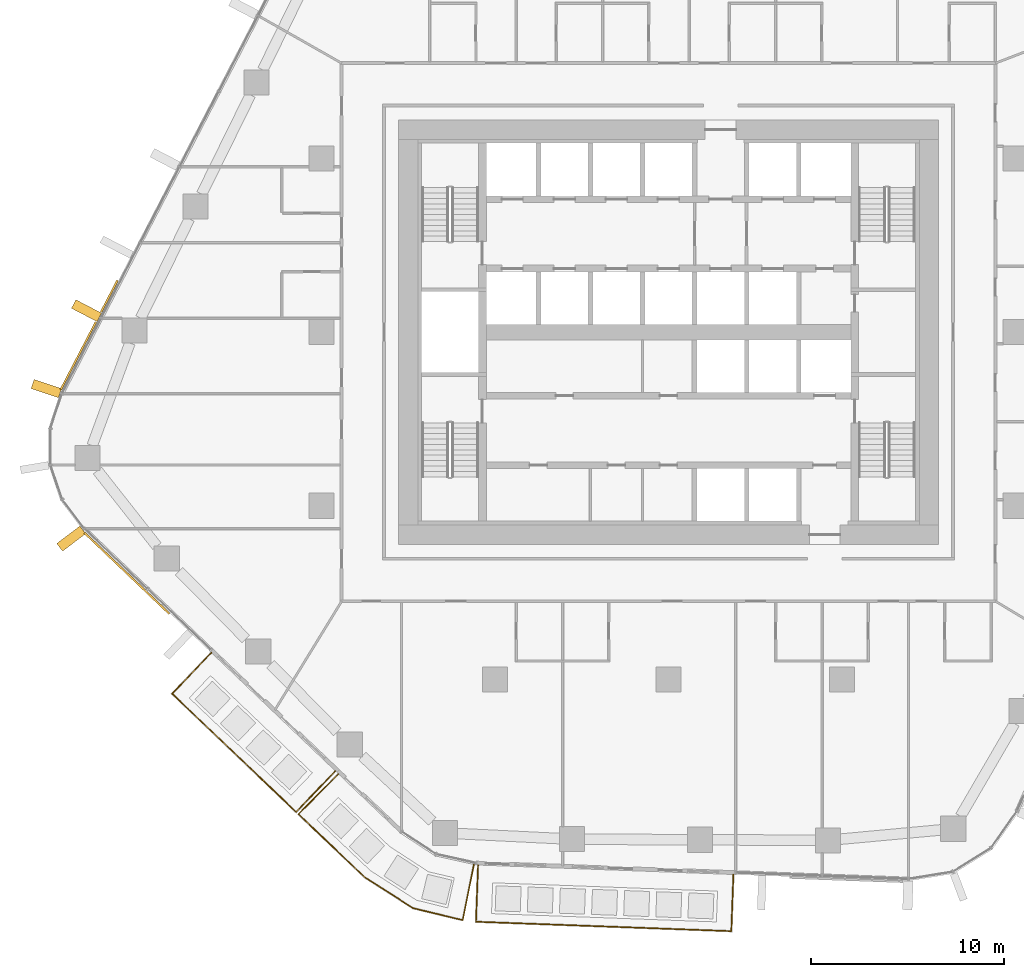
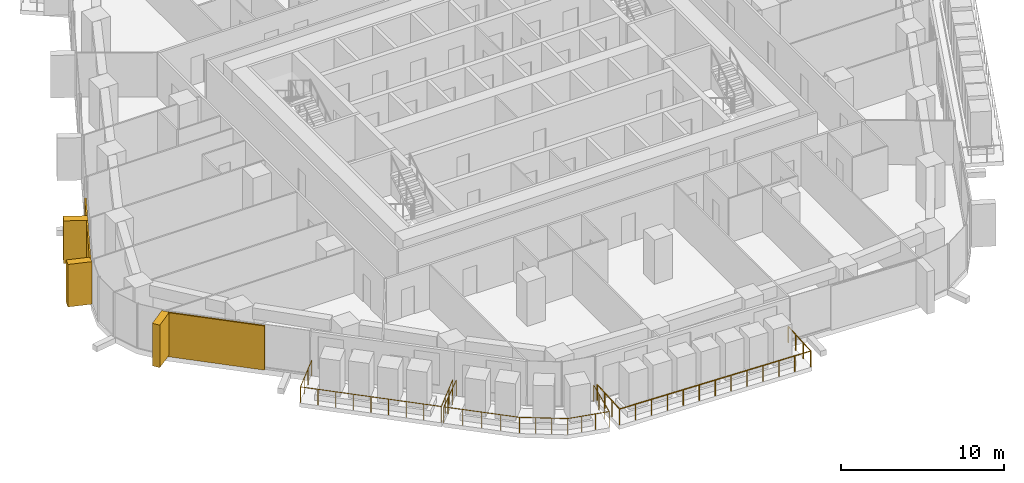
# One storey, part 19 of 24: 6 coverings, 3 railings, 3 elements without a shape of their own.
"""IFC4 building model written with IfcOpenShell, lengths in metres."""

from ifc_helpers import new_model, si_unit, direction, frame, origin, origin_2d, place, context, subcontext, project, spatial, rectangle, circle, extrude, material, layer, layer_set, material_profile, profile_set, type_object, element, aggregate, save


model = new_model("IFC4")

# Units and contexts
model_context = context("Model", 3, precision=1e-05, world=origin(), true_north=direction((0.0, 1.0)))
body_context = subcontext(model_context, "Body", "Model", "MODEL_VIEW")
ifc_project = project(units=[si_unit("LENGTHUNIT", "METRE"), si_unit("AREAUNIT", "SQUARE_METRE"), si_unit("VOLUMEUNIT", "CUBIC_METRE"), si_unit("PLANEANGLEUNIT", "RADIAN"), si_unit("MASSUNIT", "GRAM", prefix="KILO")], contexts=[model_context])

# Site, building, storey
site_placement = place(None, origin())
site = spatial("IfcSite", under=ifc_project, at=site_placement, CompositionType="ELEMENT")
building_placement = place(site_placement, origin())
building = spatial("IfcBuilding", under=site, at=building_placement, Name="Dongbaek Canopy Tower", CompositionType="ELEMENT")
storey_placement = place(building_placement, frame((0.0, 0.0, 110.0)))
storey = spatial("IfcBuildingStorey", under=building, at=storey_placement, Name="L23", CompositionType="ELEMENT", Elevation=110.0)

# Railings
ifc_material_1 = material(Name="Stainless steel", Category="steel")
railing_type = type_object("IfcRailingType", Name="Balcony balustrade 1200", PredefinedType="BALUSTRADE", material=ifc_material_1)
railing_1_placement = place(storey_placement, frame((-23.70751953125, -16.618896484375, 0.0)))
element("IfcRailing", 1, at=railing_1_placement, inside=storey, type_object=railing_type, Name="Balcony guard L23 3", PredefinedType="BALUSTRADE", context=body_context, shape_type="SweptSolid", body=[
    extrude(circle(Radius=0.02392578125, at=origin_2d()), frame((0.0, 0.0, 1.17578125), z_axis=(-0.690473771685, -0.723357429363, 0.0), x_axis=(0.723357429363, -0.690473771685, 0.0)), (0.0, 0.0, 1.0), 2.93994140625),
    extrude(circle(Radius=0.02392578125, at=origin_2d()), frame((-2.030029296875, -2.126708984375, 1.17578125), z_axis=(0.723350552631, -0.690480975848, 0.0), x_axis=(0.690480975848, 0.723350552631, 0.0)), (0.0, 0.0, 1.0), 8.88330078125),
    extrude(circle(Radius=0.02392578125, at=origin_2d()), frame((4.395751953125, -8.260498046875, 1.17578125), z_axis=(0.690473771685, 0.723357429363, 0.0), x_axis=(-0.723357429363, 0.690473771685, 0.0)), (0.0, 0.0, 1.0), 2.93994140625),
    extrude(circle(Radius=0.02099609375, at=origin_2d()), origin(), (0.0, 0.0, 1.0), 1.15185546875),
    extrude(circle(Radius=0.02099609375, at=origin_2d()), frame((-0.6767578125, -0.708984375, 0.0)), (0.0, 0.0, 1.0), 1.15185546875),
    extrude(circle(Radius=0.02099609375, at=origin_2d()), frame((-1.353271484375, -1.417724609375, 0.0)), (0.0, 0.0, 1.0), 1.15185546875),
    extrude(circle(Radius=0.02099609375, at=origin_2d()), frame((-2.030029296875, -2.126708984375, 0.0)), (0.0, 0.0, 1.0), 1.15185546875),
    extrude(circle(Radius=0.02099609375, at=origin_2d()), frame((-1.226806640625, -2.8935546875, 0.0)), (0.0, 0.0, 1.0), 1.15185546875),
    extrude(circle(Radius=0.02099609375, at=origin_2d()), frame((-0.423583984375, -3.66015625, 0.0)), (0.0, 0.0, 1.0), 1.15185546875),
    extrude(circle(Radius=0.02099609375, at=origin_2d()), frame((0.379638671875, -4.4267578125, 0.0)), (0.0, 0.0, 1.0), 1.15185546875),
    extrude(circle(Radius=0.02099609375, at=origin_2d()), frame((1.182861328125, -5.193603515625, 0.0)), (0.0, 0.0, 1.0), 1.15185546875),
    extrude(circle(Radius=0.02099609375, at=origin_2d()), frame((1.986083984375, -5.96044921875, 0.0)), (0.0, 0.0, 1.0), 1.15185546875),
    extrude(circle(Radius=0.02099609375, at=origin_2d()), frame((2.789306640625, -6.72705078125, 0.0)), (0.0, 0.0, 1.0), 1.15185546875),
    extrude(circle(Radius=0.02099609375, at=origin_2d()), frame((3.592529296875, -7.49365234375, 0.0)), (0.0, 0.0, 1.0), 1.15185546875),
    extrude(circle(Radius=0.02099609375, at=origin_2d()), frame((4.395751953125, -8.260498046875, 0.0)), (0.0, 0.0, 1.0), 1.15185546875),
    extrude(circle(Radius=0.02099609375, at=origin_2d()), frame((5.072509765625, -7.551513671875, 0.0)), (0.0, 0.0, 1.0), 1.15185546875),
    extrude(circle(Radius=0.02099609375, at=origin_2d()), frame((5.7490234375, -6.8427734375, 0.0)), (0.0, 0.0, 1.0), 1.15185546875),
    extrude(circle(Radius=0.02099609375, at=origin_2d()), frame((6.42578125, -6.1337890625, 0.0)), (0.0, 0.0, 1.0), 1.15185546875),
])
railing_2_placement = place(storey_placement, frame((-17.122802734375, -22.904541015625, 0.0)))
element("IfcRailing", 2, at=railing_2_placement, inside=storey, type_object=railing_type, Name="Balcony guard L23 8", PredefinedType="BALUSTRADE", context=body_context, shape_type="SweptSolid", body=[
    extrude(circle(Radius=0.02392578125, at=origin_2d()), frame((0.0, 0.0, 1.17578125), z_axis=(-0.705069681082, -0.709138029454, 0.0), x_axis=(0.709138029454, -0.705069681082, 0.0)), (0.0, 0.0, 1.0), 2.9404296875),
    extrude(circle(Radius=0.02392578125, at=origin_2d()), frame((-2.0732421875, -2.085205078125, 1.17578125), z_axis=(0.725076137079, -0.6886687124, 0.0), x_axis=(0.6886687124, 0.725076137079, 0.0)), (0.0, 0.0, 1.0), 4.767822265625),
    extrude(circle(Radius=0.02392578125, at=origin_2d()), frame((1.3837890625, -5.36865234375, 1.17578125), z_axis=(0.842627660144, -0.538496635422, 0.0), x_axis=(0.538496635422, 0.842627660144, 0.0)), (0.0, 0.0, 1.0), 2.96044921875),
    extrude(circle(Radius=0.02392578125, at=origin_2d()), frame((3.87841796875, -6.962890625, 1.17578125), z_axis=(0.972186668453, -0.234207347627, 0.0), x_axis=(0.234207347627, 0.972186668453, 0.0)), (0.0, 0.0, 1.0), 2.64453125),
    extrude(circle(Radius=0.02392578125, at=origin_2d()), frame((6.449462890625, -7.582275390625, 1.17578125), z_axis=(0.196515267577, 0.980500764716, 0.0), x_axis=(-0.980500764716, 0.196515267577, 0.0)), (0.0, 0.0, 1.0), 2.940673828125),
    extrude(circle(Radius=0.02099609375, at=origin_2d()), origin(), (0.0, 0.0, 1.0), 1.15185546875),
    extrude(circle(Radius=0.02099609375, at=origin_2d()), frame((-0.691162109375, -0.695068359375, 0.0)), (0.0, 0.0, 1.0), 1.15185546875),
    extrude(circle(Radius=0.02099609375, at=origin_2d()), frame((-1.382080078125, -1.39013671875, 0.0)), (0.0, 0.0, 1.0), 1.15185546875),
    extrude(circle(Radius=0.02099609375, at=origin_2d()), frame((-2.0732421875, -2.085205078125, 0.0)), (0.0, 0.0, 1.0), 1.15185546875),
    extrude(circle(Radius=0.02099609375, at=origin_2d()), frame((-1.208984375, -2.906005859375, 0.0)), (0.0, 0.0, 1.0), 1.15185546875),
    extrude(circle(Radius=0.02099609375, at=origin_2d()), frame((-0.3447265625, -3.72705078125, 0.0)), (0.0, 0.0, 1.0), 1.15185546875),
    extrude(circle(Radius=0.02099609375, at=origin_2d()), frame((0.51953125, -4.5478515625, 0.0)), (0.0, 0.0, 1.0), 1.15185546875),
    extrude(circle(Radius=0.02099609375, at=origin_2d()), frame((1.3837890625, -5.36865234375, 0.0)), (0.0, 0.0, 1.0), 1.15185546875),
    extrude(circle(Radius=0.02099609375, at=origin_2d()), frame((2.21533203125, -5.900146484375, 0.0)), (0.0, 0.0, 1.0), 1.15185546875),
    extrude(circle(Radius=0.02099609375, at=origin_2d()), frame((3.046875, -6.431396484375, 0.0)), (0.0, 0.0, 1.0), 1.15185546875),
    extrude(circle(Radius=0.02099609375, at=origin_2d()), frame((3.87841796875, -6.962890625, 0.0)), (0.0, 0.0, 1.0), 1.15185546875),
    extrude(circle(Radius=0.02099609375, at=origin_2d()), frame((4.7353515625, -7.16943359375, 0.0)), (0.0, 0.0, 1.0), 1.15185546875),
    extrude(circle(Radius=0.02099609375, at=origin_2d()), frame((5.592529296875, -7.375732421875, 0.0)), (0.0, 0.0, 1.0), 1.15185546875),
    extrude(circle(Radius=0.02099609375, at=origin_2d()), frame((6.449462890625, -7.582275390625, 0.0)), (0.0, 0.0, 1.0), 1.15185546875),
    extrude(circle(Radius=0.02099609375, at=origin_2d()), frame((6.64208984375, -6.62109375, 0.0)), (0.0, 0.0, 1.0), 1.15185546875),
    extrude(circle(Radius=0.02099609375, at=origin_2d()), frame((6.834716796875, -5.66015625, 0.0)), (0.0, 0.0, 1.0), 1.15185546875),
    extrude(circle(Radius=0.02099609375, at=origin_2d()), frame((7.02734375, -4.698974609375, 0.0)), (0.0, 0.0, 1.0), 1.15185546875),
])
railing_3_placement = place(storey_placement, frame((-9.878173828125, -27.63134765625, 0.0)))
element("IfcRailing", 3, at=railing_3_placement, inside=storey, type_object=railing_type, Name="Balcony guard L23 4", PredefinedType="BALUSTRADE", context=body_context, shape_type="SweptSolid", body=[
    extrude(circle(Radius=0.02392578125, at=origin_2d()), frame((0.0, 0.0, 1.17578125), z_axis=(-0.036870376026, -0.999320056524, 0.0), x_axis=(0.999320056524, -0.036870376026, 0.0)), (0.0, 0.0, 1.0), 2.93994140625),
    extrude(circle(Radius=0.02392578125, at=origin_2d()), frame((-0.1083984375, -2.93798828125, 1.17578125), z_axis=(0.999320023689, -0.036871265971, 0.0), x_axis=(0.036871265971, 0.999320023689, 0.0)), (0.0, 0.0, 1.0), 13.24951171875),
    extrude(circle(Radius=0.02392578125, at=origin_2d()), frame((13.132080078125, -3.426513671875, 1.17578125), z_axis=(0.036870376026, 0.999320056524, 0.0), x_axis=(-0.999320056524, 0.036870376026, 0.0)), (0.0, 0.0, 1.0), 2.93994140625),
    extrude(circle(Radius=0.02099609375, at=origin_2d()), origin(), (0.0, 0.0, 1.0), 1.15185546875),
    extrude(circle(Radius=0.02099609375, at=origin_2d()), frame((-0.0361328125, -0.979248046875, 0.0)), (0.0, 0.0, 1.0), 1.15185546875),
    extrude(circle(Radius=0.02099609375, at=origin_2d()), frame((-0.072265625, -1.958740234375, 0.0)), (0.0, 0.0, 1.0), 1.15185546875),
    extrude(circle(Radius=0.02099609375, at=origin_2d()), frame((-0.1083984375, -2.93798828125, 0.0)), (0.0, 0.0, 1.0), 1.15185546875),
    extrude(circle(Radius=0.02099609375, at=origin_2d()), frame((0.994873046875, -2.978759765625, 0.0)), (0.0, 0.0, 1.0), 1.15185546875),
    extrude(circle(Radius=0.02099609375, at=origin_2d()), frame((2.098388671875, -3.01953125, 0.0)), (0.0, 0.0, 1.0), 1.15185546875),
    extrude(circle(Radius=0.02099609375, at=origin_2d()), frame((3.20166015625, -3.06005859375, 0.0)), (0.0, 0.0, 1.0), 1.15185546875),
    extrude(circle(Radius=0.02099609375, at=origin_2d()), frame((4.30517578125, -3.100830078125, 0.0)), (0.0, 0.0, 1.0), 1.15185546875),
    extrude(circle(Radius=0.02099609375, at=origin_2d()), frame((5.408447265625, -3.1416015625, 0.0)), (0.0, 0.0, 1.0), 1.15185546875),
    extrude(circle(Radius=0.02099609375, at=origin_2d()), frame((6.51171875, -3.18212890625, 0.0)), (0.0, 0.0, 1.0), 1.15185546875),
    extrude(circle(Radius=0.02099609375, at=origin_2d()), frame((7.615234375, -3.222900390625, 0.0)), (0.0, 0.0, 1.0), 1.15185546875),
    extrude(circle(Radius=0.02099609375, at=origin_2d()), frame((8.718505859375, -3.263671875, 0.0)), (0.0, 0.0, 1.0), 1.15185546875),
    extrude(circle(Radius=0.02099609375, at=origin_2d()), frame((9.822021484375, -3.304443359375, 0.0)), (0.0, 0.0, 1.0), 1.15185546875),
    extrude(circle(Radius=0.02099609375, at=origin_2d()), frame((10.92529296875, -3.34521484375, 0.0)), (0.0, 0.0, 1.0), 1.15185546875),
    extrude(circle(Radius=0.02099609375, at=origin_2d()), frame((12.02880859375, -3.3857421875, 0.0)), (0.0, 0.0, 1.0), 1.15185546875),
    extrude(circle(Radius=0.02099609375, at=origin_2d()), frame((13.132080078125, -3.426513671875, 0.0)), (0.0, 0.0, 1.0), 1.15185546875),
    extrude(circle(Radius=0.02099609375, at=origin_2d()), frame((13.168212890625, -2.447265625, 0.0)), (0.0, 0.0, 1.0), 1.15185546875),
    extrude(circle(Radius=0.02099609375, at=origin_2d()), frame((13.204345703125, -1.4677734375, 0.0)), (0.0, 0.0, 1.0), 1.15185546875),
    extrude(circle(Radius=0.02099609375, at=origin_2d()), frame((13.240478515625, -0.488525390625, 0.0)), (0.0, 0.0, 1.0), 1.15185546875),
])

# Curtain wall, coverings
ifc_material_2 = material(Name="Aluminium 6063-T6 pale anodised", Category="aluminium")
ifc_layer_1 = layer(ifc_material_2, 0.199951171875)
ifc_layer_set_1 = layer_set([ifc_layer_1], Name="CW-1 unitised tower curtain wall")
curtain_wall_type = type_object("IfcCurtainWallType", Name="CW-1 unitised tower curtain wall", PredefinedType="NOTDEFINED", material=ifc_layer_set_1)
curtain_wall_1_placement = place(storey_placement, origin())
curtain_wall_1 = element("IfcCurtainWall", 4, at=curtain_wall_1_placement, inside=storey, type_object=curtain_wall_type, Name="CW-1 curtain wall F2.1", PredefinedType="NOTDEFINED")
ifc_material_3 = material(Name="Perforated aluminium 6063-T6 pale metal screen", Category="aluminium")
ifc_layer_2 = layer(ifc_material_3, 0.10009765625)
ifc_layer_set_2 = layer_set([ifc_layer_2], Name="Facet screen FS1 100 pale metal")
covering_type_1 = type_object("IfcCoveringType", Name="Facet screen FS1 100 pale metal", PredefinedType="CLADDING", material=ifc_layer_set_2)
covering_1_placement = place(storey_placement, frame((-28.998779296875, 1.867919921875, 0.0), z_axis=(0.0, 0.0, 1.0), x_axis=(-0.460879893376, -0.887462519706, 0.0)))
covering_1 = element("IfcCovering", 5, at=covering_1_placement, type_object=covering_type_1, Name="Facet screen L23 F2", PredefinedType="CLADDING", context=body_context, shape_type="SweptSolid", body=[
    extrude(rectangle(XDim=1.84619140625, YDim=0.10009765625, at=origin_2d()), origin(), (0.0, 0.0, 1.0), 3.300048828125),
])
covering_2_placement = place(storey_placement, frame((-30.60595703125, -1.2265625, 0.0), z_axis=(0.0, 0.0, 1.0), x_axis=(-0.460879893376, -0.887462519706, 0.0)))
covering_2 = element("IfcCovering", 6, at=covering_2_placement, type_object=covering_type_1, Name="Facet screen L23 F2", PredefinedType="CLADDING", context=body_context, shape_type="SweptSolid", body=[
    extrude(rectangle(XDim=3.96728515625, YDim=0.10009765625, at=origin_2d()), origin(), (0.0, 0.0, 1.0), 3.300048828125),
])

# Curtain wall, covering
curtain_wall_2_placement = place(storey_placement, origin())
curtain_wall_2 = element("IfcCurtainWall", 7, at=curtain_wall_2_placement, inside=storey, type_object=curtain_wall_type, Name="CW-1 curtain wall F3.1", PredefinedType="NOTDEFINED")
covering_3_placement = place(storey_placement, frame((-28.0859375, -12.5029296875, 0.0), z_axis=(0.0, 0.0, 1.0), x_axis=(0.723349279316, -0.690482309776, 0.0)))
covering_3 = element("IfcCovering", 8, at=covering_3_placement, type_object=covering_type_1, Name="Facet screen L23 F3", PredefinedType="CLADDING", context=body_context, shape_type="SweptSolid", body=[
    extrude(rectangle(XDim=6.084716796875, YDim=0.10009765625, at=origin_2d()), origin(), (0.0, 0.0, 1.0), 3.300048828125),
])
aggregate(curtain_wall_2, [covering_3])

# Covering
ifc_material_4 = material(Name="Aluminium 6063-T6 pale metal fin", Category="aluminium")
ifc_material_profile = material_profile(ifc_material_4, rectangle(XDim=1.5, YDim=0.5, at=origin_2d()), Name="Fin FN1 500 x 1500 pale metal")
ifc_profile_set = profile_set([ifc_material_profile], Name="Aluminium 6063-T6 pale metal fin")
covering_type_2 = type_object("IfcCoveringType", Name="Fin FN1 500 x 1500 pale metal", PredefinedType="CLADDING", material=ifc_profile_set)
covering_4_placement = place(storey_placement, frame((-30.182861328125, 1.11572265625, 0.1201171875), z_axis=(0.0, 0.0, 1.0), x_axis=(-0.887462609411, 0.460879720641, 0.0)))
covering_4 = element("IfcCovering", 9, at=covering_4_placement, type_object=covering_type_2, Name="Fin F2.1.7", PredefinedType="CLADDING", context=body_context, shape_type="SweptSolid", body=[
    extrude(rectangle(XDim=1.5, YDim=0.5, at=origin_2d()), origin(), (0.0, 0.0, 1.0), 3.179931640625),
])

aggregate(curtain_wall_1, [covering_4, covering_1, covering_2])

# Curtain wall, coverings
curtain_wall_3_placement = place(storey_placement, origin())
curtain_wall_3 = element("IfcCurtainWall", 10, at=curtain_wall_3_placement, inside=storey, type_object=curtain_wall_type, Name="CW-1 curtain wall K3.1", PredefinedType="NOTDEFINED")
covering_5_placement = place(storey_placement, frame((-32.268798828125, -2.925048828125, 0.1201171875), z_axis=(0.0, 0.0, 1.0), x_axis=(-0.949852370593, 0.31269869536, 0.0)))
covering_5 = element("IfcCovering", 11, at=covering_5_placement, type_object=covering_type_2, Name="Fin K3.1.1", PredefinedType="CLADDING", context=body_context, shape_type="SweptSolid", body=[
    extrude(rectangle(XDim=1.5, YDim=0.5, at=origin_2d()), origin(), (0.0, 0.0, 1.0), 3.179931640625),
])
covering_6_placement = place(storey_placement, frame((-30.97509765625, -10.703369140625, 0.1201171875), z_axis=(0.0, 0.0, 1.0), x_axis=(-0.797481377097, -0.603343561483, 0.0)))
covering_6 = element("IfcCovering", 12, at=covering_6_placement, type_object=covering_type_2, Name="Fin K3.1.5", PredefinedType="CLADDING", context=body_context, shape_type="SweptSolid", body=[
    extrude(rectangle(XDim=1.5, YDim=0.5, at=origin_2d()), origin(), (0.0, 0.0, 1.0), 3.179931640625),
])
aggregate(curtain_wall_3, [covering_5, covering_6])

save(model, "model.ifc")
